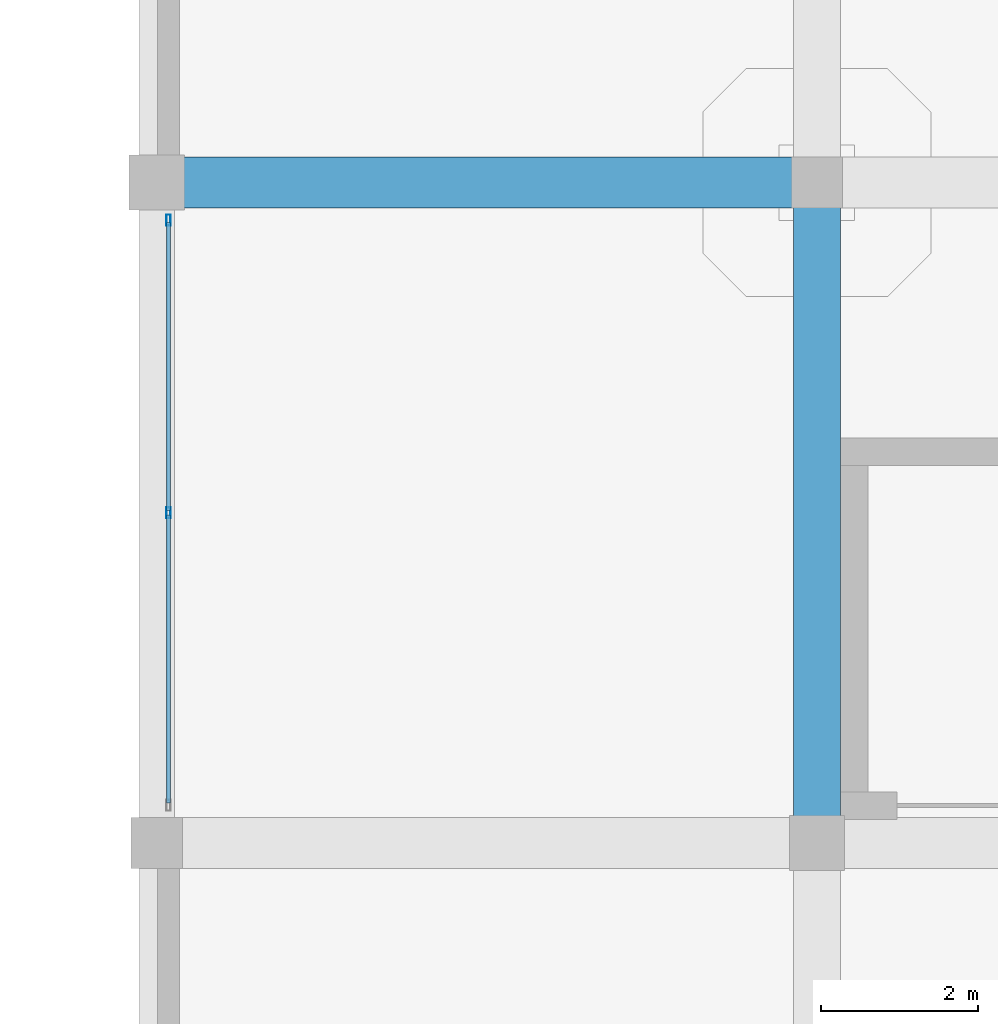
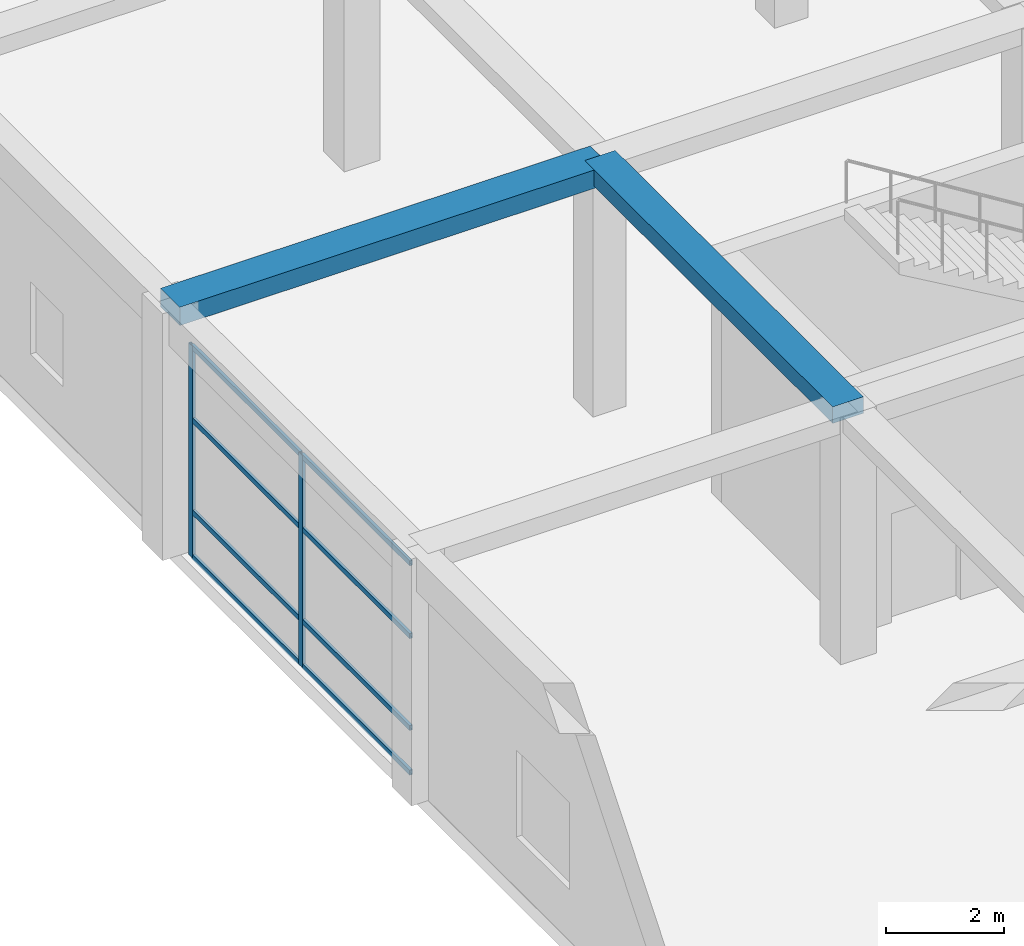
# One storey, part 17 of 65: 10 members, 2 beams, 1 element without a shape of its own.
"""IFC4 building model written with IfcOpenShell, lengths in metres."""

from ifc_helpers import new_model, si_unit, direction, frame, origin, origin_2d, place, context, subcontext, project, spatial, rectangle, hollow_rectangle, extrude, material, material_profile, profile_set, type_object, element, aggregate, save


model = new_model("IFC4")

# Units and contexts
model_context = context("Model", 3, precision=1e-05, world=origin(), true_north=direction((0.0, 1.0)))
body_context = subcontext(model_context, "Body", "Model", "MODEL_VIEW")
ifc_project = project(units=[si_unit("LENGTHUNIT", "METRE"), si_unit("AREAUNIT", "SQUARE_METRE"), si_unit("VOLUMEUNIT", "CUBIC_METRE"), si_unit("PLANEANGLEUNIT", "RADIAN"), si_unit("MASSUNIT", "GRAM", prefix="KILO")], contexts=[model_context])

# Site, building, storey
site_placement = place(None, origin())
site = spatial("IfcSite", under=ifc_project, at=site_placement, CompositionType="ELEMENT")
building_placement = place(site_placement, origin())
building = spatial("IfcBuilding", under=site, at=building_placement, Name="Almacenes y Pasaje Nevantli", CompositionType="ELEMENT")
storey_placement = place(building_placement, frame((0.0, 0.0, 16.800048828125)))
storey = spatial("IfcBuildingStorey", under=building, at=storey_placement, Name="L04", CompositionType="ELEMENT", Elevation=16.800048828125)

# Beams
ifc_material_1 = material(Name="Concrete C35/45", Category="concrete")
ifc_material_profile_1 = material_profile(ifc_material_1, rectangle(XDim=0.60009765625, YDim=0.340087890625, at=origin_2d()), Name="RC-BM-600x340")
ifc_profile_set_1 = profile_set([ifc_material_profile_1], Name="Concrete C35/45")
beam_type_1 = type_object("IfcBeamType", Name="BM-RC-600x340", PredefinedType="BEAM", material=ifc_profile_set_1)
beam_1_placement = place(storey_placement, frame((8.39990234375, 58.800048828125, 4.929931640625), z_axis=(0.0, 1.0, 0.0), x_axis=(-1.0, 0.0, 0.0)))
element("IfcBeam", 1, at=beam_1_placement, inside=storey, type_object=beam_type_1, Name="L04 North-South Reinforced Concrete Beam #3008", PredefinedType="BEAM", context=body_context, shape_type="SweptSolid", body=[
    extrude(rectangle(XDim=0.60009765625, YDim=0.340087890625, at=origin_2d()), origin(), (0.0, 0.0, 1.0), 8.39990234375),
])
ifc_material_2 = material(Name="Concrete C35/45", Category="concrete")
ifc_material_profile_2 = material_profile(ifc_material_2, rectangle(XDim=0.64990234375, YDim=0.3798828125, at=origin_2d()), Name="RC-BM-650x380")
ifc_profile_set_2 = profile_set([ifc_material_profile_2], Name="Concrete C35/45")
beam_type_2 = type_object("IfcBeamType", Name="BM-RC-650x380", PredefinedType="BEAM", material=ifc_profile_set_2)
beam_2_placement = place(storey_placement, frame((0.0, 67.199951171875, 4.909912109375), z_axis=(1.0, 0.0, 0.0), x_axis=(0.0, 1.0, 0.0)))
element("IfcBeam", 2, at=beam_2_placement, inside=storey, type_object=beam_type_2, Name="L04 East-West Reinforced Concrete Beam #2874", PredefinedType="BEAM", context=body_context, shape_type="SweptSolid", body=[
    extrude(rectangle(XDim=0.64990234375, YDim=0.3798828125, at=origin_2d()), origin(), (0.0, 0.0, 1.0), 8.39990234375),
])

# Curtain wall, members
ifc_material_3 = material(Name="Thermally Broken Aluminium and Low-E Glass", Category="aluminium")
curtain_wall_type = type_object("IfcCurtainWallType", Name="CW-UNIT-PODIUM", PredefinedType="USERDEFINED", material=ifc_material_3)
curtain_wall_placement = place(storey_placement, origin())
curtain_wall = element("IfcCurtainWall", 3, at=curtain_wall_placement, inside=storey, type_object=curtain_wall_type, Name="L04 West Avenue Unitized Curtain Wall Bay 8", ObjectType="UNITIZED CURTAIN WALL", PredefinedType="USERDEFINED")
ifc_material_4 = material(Name="Thermally Broken Anodized Aluminium", Category="aluminium")
ifc_material_profile_3 = material_profile(ifc_material_4, hollow_rectangle(XDim=0.054931640625, YDim=0.139892578125, WallThickness=0.00341796875, at=origin_2d()), Name="ALU-MUL-55x140")
ifc_profile_set_3 = profile_set([ifc_material_profile_3], Name="Thermally Broken Anodized Aluminium")
member_type_1 = type_object("IfcMemberType", Name="CW-MUL-160", PredefinedType="MULLION", material=ifc_profile_set_3)
member_1_placement = place(storey_placement, frame((0.14990234375, 63.0, 0.0), z_axis=(0.0, 0.0, 1.0), x_axis=(-1.0, 0.0, 0.0)))
member_1 = element("IfcMember", 4, at=member_1_placement, type_object=member_type_1, Name="CW-L04-075 mullion 2", PredefinedType="MULLION", context=body_context, shape_type="SweptSolid", body=[
    extrude(hollow_rectangle(XDim=0.054931640625, YDim=0.139892578125, WallThickness=0.00341796875, at=origin_2d()), origin(), (0.0, 0.0, 1.0), 4.3798828125),
])
member_2_placement = place(storey_placement, frame((0.14990234375, 66.722412109375, 0.0), z_axis=(0.0, 0.0, 1.0), x_axis=(-1.0, 0.0, 0.0)))
member_2 = element("IfcMember", 5, at=member_2_placement, type_object=member_type_1, Name="CW-L04-075 mullion 3", PredefinedType="MULLION", context=body_context, shape_type="SweptSolid", body=[
    extrude(hollow_rectangle(XDim=0.054931640625, YDim=0.139892578125, WallThickness=0.00341796875, at=origin_2d()), origin(), (0.0, 0.0, 1.0), 4.3798828125),
])
ifc_material_5 = material(Name="Thermally Broken Anodized Aluminium", Category="aluminium")
ifc_material_profile_4 = material_profile(ifc_material_5, hollow_rectangle(XDim=0.054931640625, YDim=0.10498046875, WallThickness=0.003173828125, at=origin_2d()), Name="ALU-TRN-55x105")
ifc_profile_set_4 = profile_set([ifc_material_profile_4], Name="Thermally Broken Anodized Aluminium")
member_type_2 = type_object("IfcMemberType", Name="CW-TRN-120", PredefinedType="USERDEFINED", material=ifc_profile_set_4)
member_3_placement = place(storey_placement, frame((0.14990234375, 59.304931640625, 0.02734375), z_axis=(0.0, 1.0, 0.0), x_axis=(-1.0, 0.0, 0.0)))
member_3 = element("IfcMember", 6, at=member_3_placement, type_object=member_type_2, Name="CW-L04-075 transom 1.1", ObjectType="TRANSOM", PredefinedType="USERDEFINED", context=body_context, shape_type="SweptSolid", body=[
    extrude(hollow_rectangle(XDim=0.054931640625, YDim=0.10498046875, WallThickness=0.003173828125, at=origin_2d()), origin(), (0.0, 0.0, 1.0), 3.66748046875),
])
member_4_placement = place(storey_placement, frame((0.14990234375, 59.304931640625, 0.949951171875), z_axis=(0.0, 1.0, 0.0), x_axis=(-1.0, 0.0, 0.0)))
member_4 = element("IfcMember", 7, at=member_4_placement, type_object=member_type_2, Name="CW-L04-075 transom 1.2", ObjectType="TRANSOM", PredefinedType="USERDEFINED", context=body_context, shape_type="SweptSolid", body=[
    extrude(hollow_rectangle(XDim=0.054931640625, YDim=0.10498046875, WallThickness=0.003173828125, at=origin_2d()), origin(), (0.0, 0.0, 1.0), 3.66748046875),
])
member_5_placement = place(storey_placement, frame((0.14990234375, 59.304931640625, 2.849853515625), z_axis=(0.0, 1.0, 0.0), x_axis=(-1.0, 0.0, 0.0)))
member_5 = element("IfcMember", 8, at=member_5_placement, type_object=member_type_2, Name="CW-L04-075 transom 1.3", ObjectType="TRANSOM", PredefinedType="USERDEFINED", context=body_context, shape_type="SweptSolid", body=[
    extrude(hollow_rectangle(XDim=0.054931640625, YDim=0.10498046875, WallThickness=0.003173828125, at=origin_2d()), origin(), (0.0, 0.0, 1.0), 3.66748046875),
])
member_6_placement = place(storey_placement, frame((0.14990234375, 59.304931640625, 4.3525390625), z_axis=(0.0, 1.0, 0.0), x_axis=(-1.0, 0.0, 0.0)))
member_6 = element("IfcMember", 9, at=member_6_placement, type_object=member_type_2, Name="CW-L04-075 transom 1.4", ObjectType="TRANSOM", PredefinedType="USERDEFINED", context=body_context, shape_type="SweptSolid", body=[
    extrude(hollow_rectangle(XDim=0.054931640625, YDim=0.10498046875, WallThickness=0.003173828125, at=origin_2d()), origin(), (0.0, 0.0, 1.0), 3.66748046875),
])
member_7_placement = place(storey_placement, frame((0.14990234375, 63.027587890625, 0.02734375), z_axis=(0.0, 1.0, 0.0), x_axis=(-1.0, 0.0, 0.0)))
member_7 = element("IfcMember", 10, at=member_7_placement, type_object=member_type_2, Name="CW-L04-075 transom 2.1", ObjectType="TRANSOM", PredefinedType="USERDEFINED", context=body_context, shape_type="SweptSolid", body=[
    extrude(hollow_rectangle(XDim=0.054931640625, YDim=0.10498046875, WallThickness=0.003173828125, at=origin_2d()), origin(), (0.0, 0.0, 1.0), 3.66748046875),
])
member_8_placement = place(storey_placement, frame((0.14990234375, 63.027587890625, 0.949951171875), z_axis=(0.0, 1.0, 0.0), x_axis=(-1.0, 0.0, 0.0)))
member_8 = element("IfcMember", 11, at=member_8_placement, type_object=member_type_2, Name="CW-L04-075 transom 2.2", ObjectType="TRANSOM", PredefinedType="USERDEFINED", context=body_context, shape_type="SweptSolid", body=[
    extrude(hollow_rectangle(XDim=0.054931640625, YDim=0.10498046875, WallThickness=0.003173828125, at=origin_2d()), origin(), (0.0, 0.0, 1.0), 3.66748046875),
])
member_9_placement = place(storey_placement, frame((0.14990234375, 63.027587890625, 2.849853515625), z_axis=(0.0, 1.0, 0.0), x_axis=(-1.0, 0.0, 0.0)))
member_9 = element("IfcMember", 12, at=member_9_placement, type_object=member_type_2, Name="CW-L04-075 transom 2.3", ObjectType="TRANSOM", PredefinedType="USERDEFINED", context=body_context, shape_type="SweptSolid", body=[
    extrude(hollow_rectangle(XDim=0.054931640625, YDim=0.10498046875, WallThickness=0.003173828125, at=origin_2d()), origin(), (0.0, 0.0, 1.0), 3.66748046875),
])
member_10_placement = place(storey_placement, frame((0.14990234375, 63.027587890625, 4.3525390625), z_axis=(0.0, 1.0, 0.0), x_axis=(-1.0, 0.0, 0.0)))
member_10 = element("IfcMember", 13, at=member_10_placement, type_object=member_type_2, Name="CW-L04-075 transom 2.4", ObjectType="TRANSOM", PredefinedType="USERDEFINED", context=body_context, shape_type="SweptSolid", body=[
    extrude(hollow_rectangle(XDim=0.054931640625, YDim=0.10498046875, WallThickness=0.003173828125, at=origin_2d()), origin(), (0.0, 0.0, 1.0), 3.66748046875),
])
aggregate(curtain_wall, [member_1, member_2, member_3, member_4, member_5, member_6, member_7, member_8, member_9, member_10])

save(model, "model.ifc")
